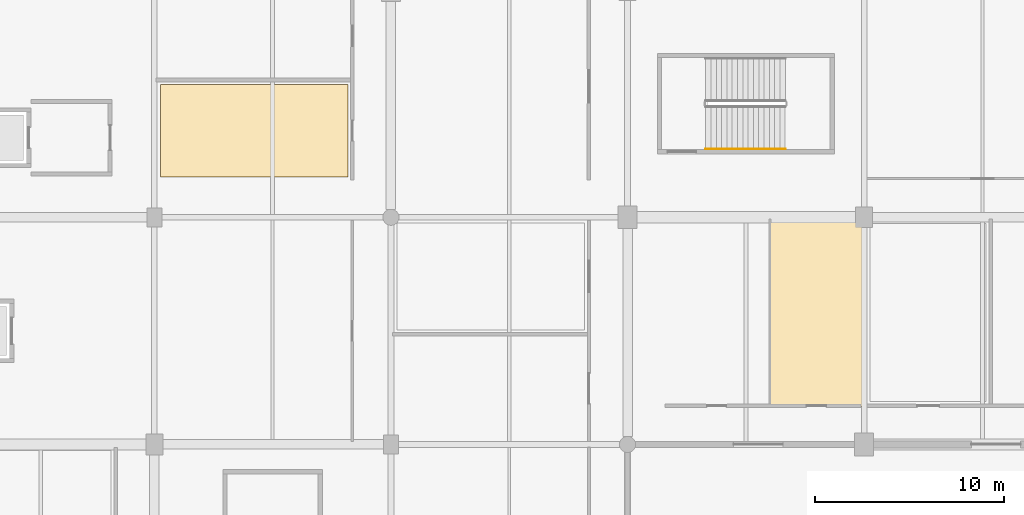
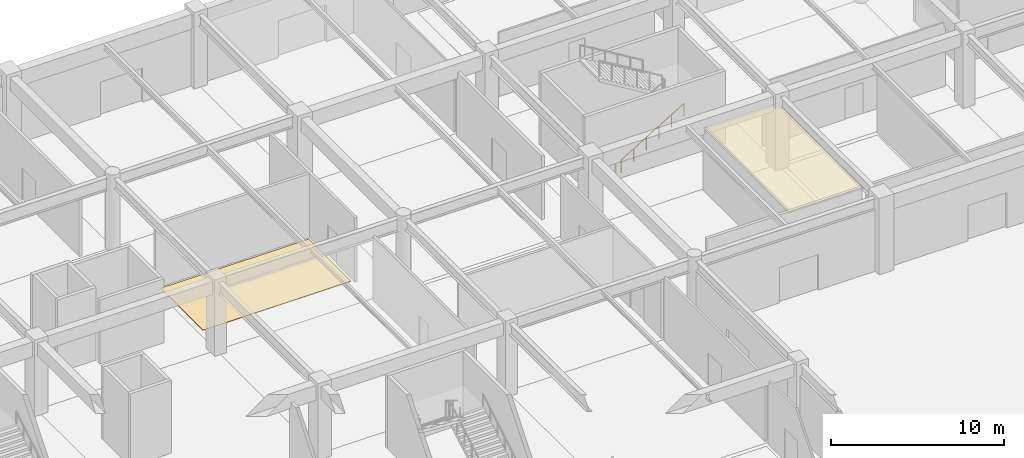
# One storey, part 60 of 69: 2 coverings, 1 railing.
"""IFC4 building model written with IfcOpenShell, lengths in metres."""

from ifc_helpers import new_model, si_unit, direction, frame, origin, origin_2d, place, context, subcontext, project, spatial, polyline, circle, outline, extrude, material, layer, layer_set, type_object, element, save


model = new_model("IFC4")

# Units and contexts
model_context = context("Model", 3, precision=1e-05, world=origin(), true_north=direction((0.0, 1.0)))
body_context = subcontext(model_context, "Body", "Model", "MODEL_VIEW")
ifc_project = project(units=[si_unit("LENGTHUNIT", "METRE"), si_unit("AREAUNIT", "SQUARE_METRE"), si_unit("VOLUMEUNIT", "CUBIC_METRE"), si_unit("PLANEANGLEUNIT", "RADIAN"), si_unit("MASSUNIT", "GRAM", prefix="KILO")], contexts=[model_context])

# Site, building, storey
site_placement = place(None, origin())
site = spatial("IfcSite", under=ifc_project, at=site_placement, CompositionType="ELEMENT")
building_placement = place(site_placement, origin())
building = spatial("IfcBuilding", under=site, at=building_placement, Name="Kazenohara Klinker Stadium", CompositionType="ELEMENT")
storey_placement = place(building_placement, origin())
storey = spatial("IfcBuildingStorey", under=building, at=storey_placement, Name="L00", CompositionType="ELEMENT", Elevation=0.0)

# Coverings
ifc_material_1 = material(Name="Perforated acoustic mineral-fibre ceiling tile", Category="gypsum")
ifc_layer_1 = layer(ifc_material_1, 0.030029296875)
ifc_layer_set_1 = layer_set([ifc_layer_1], Name="Perforated acoustic mineral-fibre ceiling tile")
covering_type_1 = type_object("IfcCoveringType", Name="COV-CEIL-01", PredefinedType="CEILING", material=ifc_layer_set_1)
covering_1_placement = place(storey_placement, frame((0.0, 0.0, 4.35009765625)))
element("IfcCovering", 1, at=covering_1_placement, inside=storey, type_object=covering_type_1, Name="Suspended acoustic ceiling CL01 Street-Front Bakery and Cafe Restaurant L00-0411B", PredefinedType="CEILING", context=body_context, shape_type="SweptSolid", body=[
    extrude(outline(polyline([(56.47802734375, 134.010009765625), (61.4599609375, 134.010009765625), (61.4599609375, 143.93994140625), (56.47802734375, 143.93994140625), (56.47802734375, 134.010009765625)])), origin(), (0.0, 0.0, 1.0), 0.02978515625),
])
ifc_material_2 = material(Name="Slip-resistant honed basalt terrazzo flooring", Category="masonry")
ifc_layer_2 = layer(ifc_material_2, 0.02001953125)
ifc_layer_set_2 = layer_set([ifc_layer_2], Name="Slip-resistant honed basalt terrazzo flooring")
covering_type_2 = type_object("IfcCoveringType", Name="COV-FLR-01", PredefinedType="FLOORING", material=ifc_layer_set_2)
covering_2_placement = place(storey_placement, origin())
element("IfcCovering", 2, at=covering_2_placement, inside=storey, type_object=covering_type_2, Name="Interior floor finish FL01 Spectator First-Aid Medical Clinic L00-0212A", PredefinedType="FLOORING", context=body_context, shape_type="SweptSolid", body=[
    extrude(outline(polyline([(24.330078125, 146.1201171875), (34.219970703125, 146.1201171875), (34.219970703125, 151.0205078125), (24.330078125, 151.0205078125), (24.330078125, 146.1201171875)])), origin(), (0.0, 0.0, 1.0), 0.02001953125),
])

# Railing
ifc_material_3 = material(Name="Brushed stainless steel 304 handrail", Category="steel")
ifc_layer_3 = layer(ifc_material_3, 0.050048828125)
ifc_layer_set_3 = layer_set([ifc_layer_3], Name="Brushed stainless steel 304 handrail")
railing_type = type_object("IfcRailingType", Name="RL-HND-900", PredefinedType="HANDRAIL", material=ifc_layer_set_3)
railing_placement = place(storey_placement, frame((53.1298828125, 147.610107421875, 0.168701171875)))
element("IfcRailing", 3, at=railing_placement, inside=storey, type_object=railing_type, Name="L00 ST08 stair handrail 1", PredefinedType="HANDRAIL", context=body_context, shape_type="SweptSolid", body=[
    extrude(circle(Radius=0.02392578125, at=origin_2d()), frame((0.0, 0.0, 0.8759765625), z_axis=(0.856489757249, 0.0, 0.516164020179), x_axis=(0.0, 1.0, 0.0)), (0.0, 0.0, 1.0), 4.904052734375),
    extrude(circle(Radius=0.02099609375, at=origin_2d()), origin(), (0.0, 0.0, 1.0), 0.851806640625),
    extrude(circle(Radius=0.02099609375, at=origin_2d()), frame((0.840087890625, 0.0, 0.50634765625)), (0.0, 0.0, 1.0), 0.851806640625),
    extrude(circle(Radius=0.02099609375, at=origin_2d()), frame((1.68017578125, 0.0, 1.012451171875)), (0.0, 0.0, 1.0), 0.851806640625),
    extrude(circle(Radius=0.02099609375, at=origin_2d()), frame((2.52001953125, 0.0, 1.518798828125)), (0.0, 0.0, 1.0), 0.851806640625),
    extrude(circle(Radius=0.02099609375, at=origin_2d()), frame((3.360107421875, 0.0, 2.02490234375)), (0.0, 0.0, 1.0), 0.851806640625),
    extrude(circle(Radius=0.02099609375, at=origin_2d()), frame((4.2001953125, 0.0, 2.53125)), (0.0, 0.0, 1.0), 0.851806640625),
])

save(model, "model.ifc")
